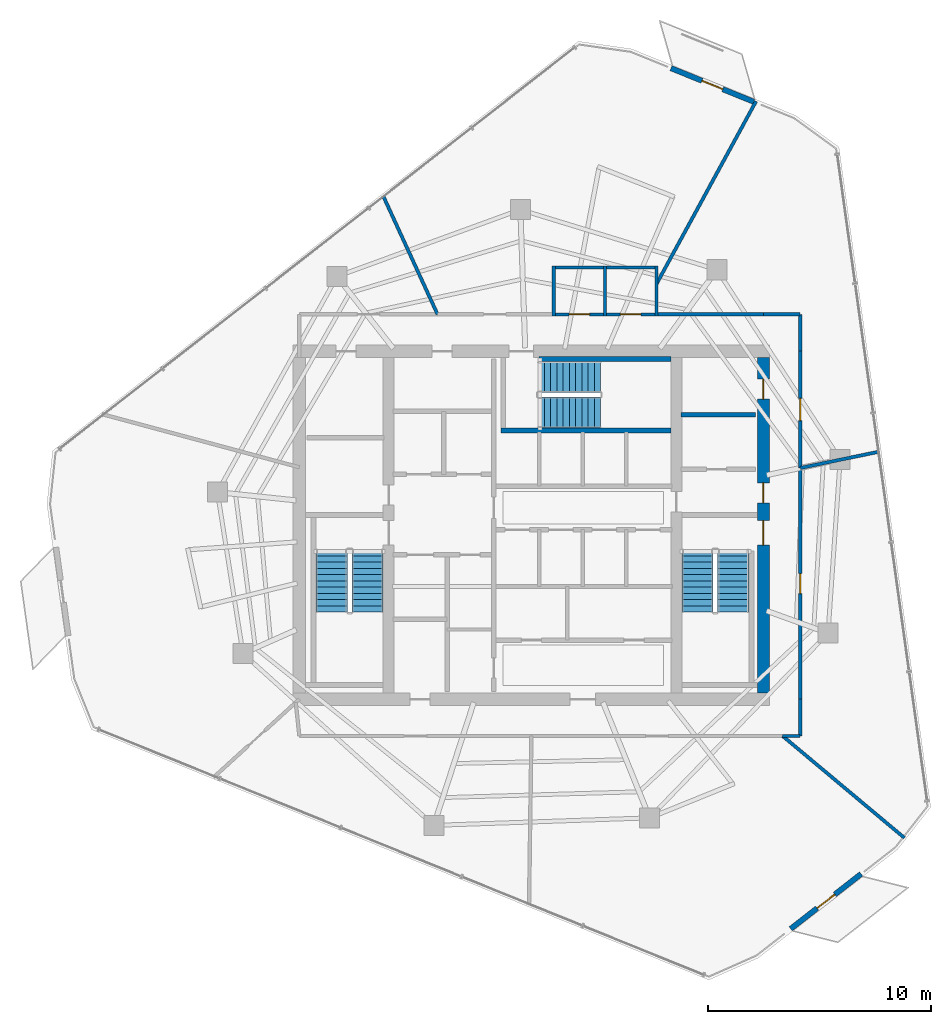
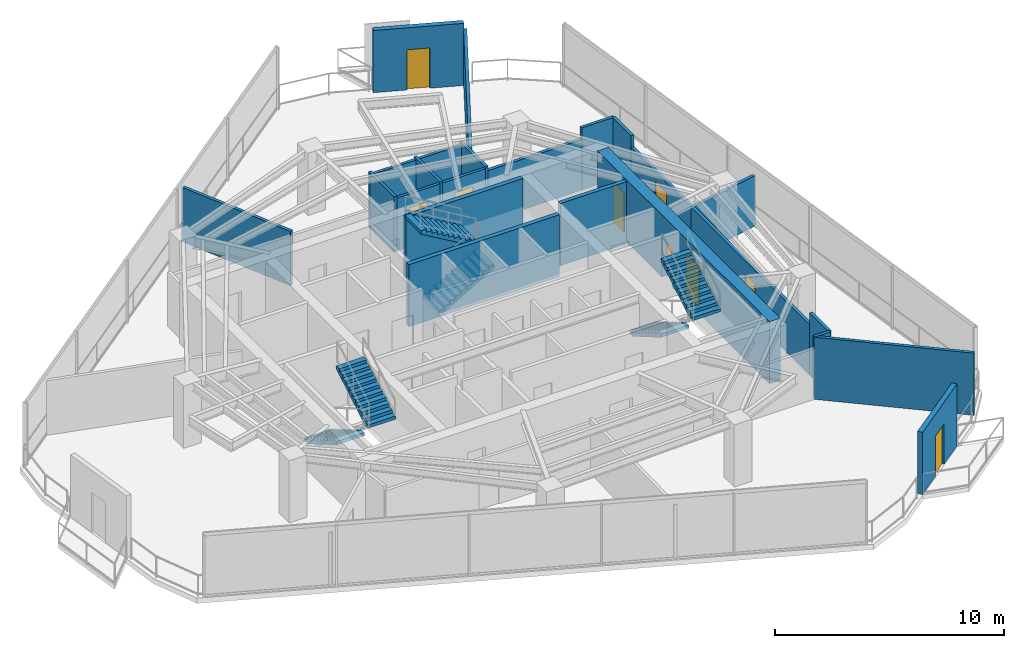
# One storey, part 17 of 19: 24 walls, 9 doors, 6 stair flights, 9 openings, 3 elements without a shape of their own.
"""IFC4 building model written with IfcOpenShell, lengths in metres."""

from ifc_helpers import new_model, si_unit, direction, frame, frame_2d, origin, place, context, subcontext, project, spatial, polyline, rectangle, outline, extrude, material, layer, layer_set, type_object, element, fill, aggregate, save


model = new_model("IFC4")

# Units and contexts
model_context = context("Model", 3, precision=1e-05, world=origin(), true_north=direction((0.0, 1.0)))
body_context = subcontext(model_context, "Body", "Model", "MODEL_VIEW")
ifc_project = project(units=[si_unit("LENGTHUNIT", "METRE"), si_unit("AREAUNIT", "SQUARE_METRE"), si_unit("VOLUMEUNIT", "CUBIC_METRE"), si_unit("PLANEANGLEUNIT", "RADIAN"), si_unit("MASSUNIT", "GRAM", prefix="KILO")], contexts=[model_context])

# Site, building, storey
site_placement = place(None, origin())
site = spatial("IfcSite", under=ifc_project, at=site_placement, CompositionType="ELEMENT")
building_placement = place(site_placement, origin())
building = spatial("IfcBuilding", under=site, at=building_placement, Name="Qarnah Convention Tower", CompositionType="ELEMENT")
storey_placement = place(building_placement, frame((0.0, 0.0, 209.39990234375)))
storey = spatial("IfcBuildingStorey", under=building, at=storey_placement, Name="L56", CompositionType="ELEMENT", Elevation=209.39990234375)

# Wall, openings, doors
ifc_material_1 = material(Name="Concrete C60/75", Category="concrete")
ifc_layer_1 = layer(ifc_material_1, 0.550048828125)
ifc_layer_set_1 = layer_set([ifc_layer_1], Name="Concrete C60/75")
wall_type_1 = type_object("IfcWallType", Name="WL-CORE-550", PredefinedType="SHEAR", material=ifc_layer_set_1)
wall_1_placement = place(storey_placement, frame((47.60009765625, 18.875, 0.0), z_axis=(0.0, 0.0, 1.0), x_axis=(0.0, 1.0, 0.0)))
wall_1 = element("IfcWall", 1, at=wall_1_placement, inside=storey, type_object=wall_type_1, Name="L56 core east shear wall", PredefinedType="SHEAR", context=body_context, shape_type="SweptSolid", body=[
    extrude(rectangle(XDim=15.050048828125, YDim=0.550048828125, at=frame_2d((7.52490234375, 0.0))), origin(), (0.0, 0.0, 1.0), 3.320068359375),
])
opening_1_placement = place(wall_1_placement, frame((6.625, 0.0, 0.0)))
opening_1 = element("IfcOpeningElement", 2, at=opening_1_placement, cuts=wall_1, Name="Opening D-5602", PredefinedType="OPENING", context=body_context, shape_type="SweptSolid", body=[
    extrude(rectangle(XDim=1.10009765625, YDim=2.14990234375, at=frame_2d((0.550048828125, 1.074951171875))), frame((0.0, 0.284912109375, 0.0), z_axis=(0.0, -1.0, 0.0), x_axis=(1.0, 0.0, 0.0)), (0.0, 0.0, 1.0), 0.570068359375),
])
opening_2_placement = place(wall_1_placement, frame((8.52490234375, 0.0, 0.0)))
opening_2 = element("IfcOpeningElement", 3, at=opening_2_placement, cuts=wall_1, Name="Opening D-5606", PredefinedType="OPENING", context=body_context, shape_type="SweptSolid", body=[
    extrude(rectangle(XDim=0.89990234375, YDim=2.10009765625, at=frame_2d((0.449951171875, 1.050048828125))), frame((0.0, 0.284912109375, 0.0), z_axis=(0.0, -1.0, 0.0), x_axis=(1.0, 0.0, 0.0)), (0.0, 0.0, 1.0), 0.570068359375),
])
opening_3_placement = place(wall_1_placement, frame((13.175048828125, 0.0, 0.0)))
opening_3 = element("IfcOpeningElement", 4, at=opening_3_placement, cuts=wall_1, Name="Opening D-5612", PredefinedType="OPENING", context=body_context, shape_type="SweptSolid", body=[
    extrude(rectangle(XDim=0.89990234375, YDim=2.10009765625, at=frame_2d((0.449951171875, 1.050048828125))), frame((0.0, 0.284912109375, 0.0), z_axis=(0.0, -1.0, 0.0), x_axis=(1.0, 0.0, 0.0)), (0.0, 0.0, 1.0), 0.570068359375),
])
ifc_material_2 = material(Name="Structural steel S355JR", Category="steel")
door_type_1 = type_object("IfcDoorType", Name="DT-RISER-900", OperationType="NOTDEFINED", PredefinedType="DOOR", material=ifc_material_2)
door_1_placement = place(opening_2_placement, origin())
door_1 = element("IfcDoor", 5, at=door_1_placement, inside=storey, type_object=door_type_1, Name="Door D-5606", OperationType="SINGLE_SWING_RIGHT", OverallHeight=2.10009765625, OverallWidth=0.89990234375, PredefinedType="DOOR", context=body_context, shape_type="SweptSolid", body=[
    extrude(rectangle(XDim=0.89990234375, YDim=2.10009765625, at=frame_2d((0.449951171875, 1.050048828125))), frame((0.0, 0.02490234375, 0.0), z_axis=(0.0, -1.0, 0.0), x_axis=(1.0, 0.0, 0.0)), (0.0, 0.0, 1.0), 0.050048828125),
])
fill(opening_2, door_1)
door_2_placement = place(opening_3_placement, origin())
door_2 = element("IfcDoor", 6, at=door_2_placement, inside=storey, type_object=door_type_1, Name="Door D-5612", OperationType="SINGLE_SWING_RIGHT", OverallHeight=2.10009765625, OverallWidth=0.89990234375, PredefinedType="DOOR", context=body_context, shape_type="SweptSolid", body=[
    extrude(rectangle(XDim=0.89990234375, YDim=2.10009765625, at=frame_2d((0.449951171875, 1.050048828125))), frame((0.0, 0.02490234375, 0.0), z_axis=(0.0, -1.0, 0.0), x_axis=(1.0, 0.0, 0.0)), (0.0, 0.0, 1.0), 0.050048828125),
])
fill(opening_3, door_2)
door_type_2 = type_object("IfcDoorType", Name="DT-STAIR-1100", OperationType="NOTDEFINED", PredefinedType="DOOR", material=ifc_material_2)
door_3_placement = place(opening_1_placement, origin())
door_3 = element("IfcDoor", 7, at=door_3_placement, inside=storey, type_object=door_type_2, Name="Door D-5602", OperationType="SINGLE_SWING_RIGHT", OverallHeight=2.14990234375, OverallWidth=1.10009765625, PredefinedType="DOOR", context=body_context, shape_type="SweptSolid", body=[
    extrude(rectangle(XDim=1.10009765625, YDim=2.14990234375, at=frame_2d((0.550048828125, 1.074951171875))), frame((0.0, 0.02490234375, 0.0), z_axis=(0.0, -1.0, 0.0), x_axis=(1.0, 0.0, 0.0)), (0.0, 0.0, 1.0), 0.050048828125),
])
fill(opening_1, door_3)

# Walls
ifc_material_3 = material(Name="Concrete C45/55", Category="concrete")
ifc_layer_2 = layer(ifc_material_3, 0.199951171875)
ifc_layer_set_2 = layer_set([ifc_layer_2], Name="Concrete C45/55")
wall_type_2 = type_object("IfcWallType", Name="WL-CORE-PART-200", PredefinedType="SOLIDWALL", material=ifc_layer_set_2)
wall_2_placement = place(storey_placement, frame((43.89990234375, 31.35009765625, 0.0), z_axis=(0.0, 0.0, 1.0), x_axis=(1.0, 0.0, 0.0)))
element("IfcWall", 8, at=wall_2_placement, inside=storey, type_object=wall_type_2, Name="L56 interior wall IW-L56-WTRN", PredefinedType="SOLIDWALL", context=body_context, shape_type="SweptSolid", body=[
    extrude(rectangle(XDim=3.35009765625, YDim=0.199951171875, at=frame_2d((1.675048828125, 0.0))), origin(), (0.0, 0.0, 1.0), 3.320068359375),
])
ifc_layer_3 = layer(ifc_material_1, 0.219970703125)
ifc_layer_set_3 = layer_set([ifc_layer_3], Name="Concrete C60/75")
wall_type_3 = type_object("IfcWallType", Name="WL-CORE-STAIR-220", PredefinedType="SHEAR", material=ifc_layer_set_3)
wall_3_placement = place(storey_placement, frame((35.840087890625, 30.639892578125, 0.0), z_axis=(0.0, 0.0, 1.0), x_axis=(1.0, 0.0, 0.0)))
element("IfcWall", 9, at=wall_3_placement, inside=storey, type_object=wall_type_3, Name="L56 stair shaft shear wall SW-L56-ST3S", PredefinedType="SHEAR", context=body_context, shape_type="SweptSolid", body=[
    extrude(rectangle(XDim=7.60986328125, YDim=0.219970703125, at=frame_2d((3.804931640625, 0.0))), origin(), (0.0, 0.0, 1.0), 3.320068359375),
])
wall_4_placement = place(storey_placement, frame((37.550048828125, 33.840087890625, 0.0), z_axis=(0.0, 0.0, 1.0), x_axis=(1.0, 0.0, 0.0)))
element("IfcWall", 10, at=wall_4_placement, inside=storey, type_object=wall_type_3, Name="L56 stair shaft shear wall SW-L56-ST3N", PredefinedType="SHEAR", context=body_context, shape_type="SweptSolid", body=[
    extrude(rectangle(XDim=5.89990234375, YDim=0.219970703125, at=frame_2d((2.949951171875, 0.0))), origin(), (0.0, 0.0, 1.0), 3.320068359375),
])

# Wall, opening, door
ifc_material_4 = material(Name="Precast concrete C45/55", Category="concrete")
ifc_layer_4 = layer(ifc_material_4, 0.239990234375)
ifc_layer_set_4 = layer_set([ifc_layer_4], Name="Precast concrete C45/55")
wall_type_4 = type_object("IfcWallType", Name="WL-EXT-BAL-240", PredefinedType="SOLIDWALL", material=ifc_layer_set_4)
wall_5_placement = place(storey_placement, frame((43.4599609375, 46.882080078125, 0.0), z_axis=(0.0, 0.0, 1.0), x_axis=(0.926591574156, -0.376069215308, 0.0)))
wall_5 = element("IfcWall", 11, at=wall_5_placement, inside=storey, type_object=wall_type_4, Name="L56 loggia threshold wall BAL-L56-C1", PredefinedType="SOLIDWALL", context=body_context, shape_type="SweptSolid", body=[
    extrude(rectangle(XDim=3.999755859375, YDim=0.239990234375, at=frame_2d((2.0, 0.0))), origin(), (0.0, 0.0, 1.0), 3.320068359375),
])
opening_4_placement = place(wall_5_placement, frame((1.5, 0.0, 0.0)))
opening_4 = element("IfcOpeningElement", 12, at=opening_4_placement, cuts=wall_5, Name="Opening BD-5601", PredefinedType="OPENING", context=body_context, shape_type="SweptSolid", body=[
    extrude(rectangle(XDim=1.0, YDim=2.14990234375, at=frame_2d((0.5, 1.074951171875))), frame((0.0, 0.1298828125, 0.0), z_axis=(0.0, -1.0, 0.0), x_axis=(1.0, 0.0, 0.0)), (0.0, 0.0, 1.0), 0.260009765625),
])
ifc_material_5 = material(Name="Black anodised aluminium", Category="aluminium")
door_type_3 = type_object("IfcDoorType", Name="DT-BAL-1000", OperationType="NOTDEFINED", PredefinedType="DOOR", material=ifc_material_5)
door_4_placement = place(opening_4_placement, origin())
door_4 = element("IfcDoor", 13, at=door_4_placement, inside=storey, type_object=door_type_3, Name="L56 balcony terrace door BAL-L56-C1", OperationType="SINGLE_SWING_LEFT", OverallHeight=2.14990234375, OverallWidth=1.0, PredefinedType="DOOR", context=body_context, shape_type="SweptSolid", body=[
    extrude(rectangle(XDim=1.0, YDim=2.14990234375, at=frame_2d((0.5, 1.074951171875))), frame((0.0, 0.02490234375, 0.0), z_axis=(0.0, -1.0, 0.0), x_axis=(1.0, 0.0, 0.0)), (0.0, 0.0, 1.0), 0.050048828125),
])
fill(opening_4, door_4)

wall_6_placement = place(storey_placement, frame((51.98095703125, 10.76611328125, 0.0), z_axis=(0.0, 0.0, 1.0), x_axis=(-0.788855634811, -0.614578544555, 0.0)))
wall_6 = element("IfcWall", 14, at=wall_6_placement, inside=storey, type_object=wall_type_4, Name="L56 loggia threshold wall BAL-L56-C3", PredefinedType="SOLIDWALL", context=body_context, shape_type="SweptSolid", body=[
    extrude(rectangle(XDim=3.99951171875, YDim=0.239990234375, at=frame_2d((1.999755859375, 0.0))), origin(), (0.0, 0.0, 1.0), 3.320068359375),
])
opening_5_placement = place(wall_6_placement, frame((1.5, 0.0, 0.0)))
opening_5 = element("IfcOpeningElement", 15, at=opening_5_placement, cuts=wall_6, Name="Opening BD-5603", PredefinedType="OPENING", context=body_context, shape_type="SweptSolid", body=[
    extrude(rectangle(XDim=1.0, YDim=2.14990234375, at=frame_2d((0.5, 1.074951171875))), frame((0.0, 0.1298828125, 0.0), z_axis=(0.0, -1.0, 0.0), x_axis=(1.0, 0.0, 0.0)), (0.0, 0.0, 1.0), 0.260009765625),
])
door_5_placement = place(opening_5_placement, origin())
door_5 = element("IfcDoor", 16, at=door_5_placement, inside=storey, type_object=door_type_3, Name="L56 balcony terrace door BAL-L56-C3", OperationType="SINGLE_SWING_LEFT", OverallHeight=2.14990234375, OverallWidth=1.0, PredefinedType="DOOR", context=body_context, shape_type="SweptSolid", body=[
    extrude(rectangle(XDim=1.0, YDim=2.14990234375, at=frame_2d((0.5, 1.074951171875))), frame((0.0, 0.02490234375, 0.0), z_axis=(0.0, -1.0, 0.0), x_axis=(1.0, 0.0, 0.0)), (0.0, 0.0, 1.0), 0.050048828125),
])
fill(opening_5, door_5)

# Walls
ifc_material_6 = material(Name="Gypsum partition board")
ifc_layer_5 = layer(ifc_material_6, 0.14990234375)
ifc_layer_set_5 = layer_set([ifc_layer_5], Name="Gypsum partition board")
wall_type_5 = type_object("IfcWallType", Name="WL-SUITE-150", PredefinedType="PARTITIONING", material=ifc_layer_set_5)
wall_7_placement = place(storey_placement, frame((47.27099609375, 45.40087890625, 0.0), z_axis=(0.0, 0.0, 1.0), x_axis=(-0.478443882295, -0.878118130717, 0.0)))
element("IfcWall", 17, at=wall_7_placement, inside=storey, type_object=wall_type_5, Name="L56 interior wall IW-L56-R-08", PredefinedType="PARTITIONING", context=body_context, shape_type="SweptSolid", body=[
    extrude(rectangle(XDim=9.3447265625, YDim=0.14990234375, at=frame_2d((4.67236328125, 0.0))), origin(), (0.0, 0.0, 1.0), 2.905029296875),
])
wall_8_placement = place(storey_placement, frame((42.8701171875, 35.85009765625, 0.0), z_axis=(0.0, 0.0, 1.0), x_axis=(1.0, 0.0, 0.0)))
element("IfcWall", 18, at=wall_8_placement, inside=storey, type_object=wall_type_5, Name="L56 interior wall IW-L56-R-09", PredefinedType="PARTITIONING", context=body_context, shape_type="SweptSolid", body=[
    extrude(rectangle(XDim=4.72998046875, YDim=0.14990234375, at=frame_2d((2.364990234375, 0.0))), origin(), (0.0, 0.0, 1.0), 2.697021484375),
])
wall_9_placement = place(storey_placement, frame((47.60009765625, 35.85009765625, 0.0), z_axis=(0.0, 0.0, 1.0), x_axis=(1.0, 0.0, 0.0)))
element("IfcWall", 19, at=wall_9_placement, inside=storey, type_object=wall_type_5, Name="L56 interior wall IW-L56-R-10", PredefinedType="PARTITIONING", context=body_context, shape_type="SweptSolid", body=[
    extrude(rectangle(XDim=1.64990234375, YDim=0.14990234375, at=frame_2d((0.824951171875, 0.0))), origin(), (0.0, 0.0, 1.0), 3.320068359375),
])
wall_10_placement = place(storey_placement, frame((49.25, 35.85009765625, 0.0), z_axis=(0.0, 0.0, 1.0), x_axis=(0.0, -1.0, 0.0)))
element("IfcWall", 20, at=wall_10_placement, inside=storey, type_object=wall_type_5, Name="L56 interior wall IW-L56-R-11", PredefinedType="PARTITIONING", context=body_context, shape_type="SweptSolid", body=[
    extrude(rectangle(XDim=1.650146484375, YDim=0.14990234375, at=frame_2d((0.8251953125, 0.0))), origin(), (0.0, 0.0, 1.0), 3.320068359375),
])

# Wall, opening, door
wall_11_placement = place(storey_placement, frame((49.25, 34.199951171875, 0.0), z_axis=(0.0, 0.0, 1.0), x_axis=(0.0, -1.0, 0.0)))
wall_11 = element("IfcWall", 21, at=wall_11_placement, inside=storey, type_object=wall_type_5, Name="L56 interior wall IW-L56-R-12", PredefinedType="PARTITIONING", context=body_context, shape_type="SweptSolid", body=[
    extrude(rectangle(XDim=5.239013671875, YDim=0.14990234375, at=frame_2d((2.61962890625, 0.0))), origin(), (0.0, 0.0, 1.0), 2.697021484375),
])
opening_6_placement = place(wall_11_placement, frame((2.1201171875, 0.0, 0.0)))
opening_6 = element("IfcOpeningElement", 22, at=opening_6_placement, cuts=wall_11, Name="Opening D-5620", PredefinedType="OPENING", context=body_context, shape_type="SweptSolid", body=[
    extrude(rectangle(XDim=1.0, YDim=2.14990234375, at=frame_2d((0.5, 1.074951171875))), frame((0.0, 0.0849609375, 0.0), z_axis=(0.0, -1.0, 0.0), x_axis=(1.0, 0.0, 0.0)), (0.0, 0.0, 1.0), 0.169921875),
])
ifc_material_7 = material(Name="Oak timber veneer", Category="wood")
door_type_4 = type_object("IfcDoorType", Name="DT-OFFICE-1000", OperationType="NOTDEFINED", PredefinedType="DOOR", material=ifc_material_7)
door_6_placement = place(opening_6_placement, origin())
door_6 = element("IfcDoor", 23, at=door_6_placement, inside=storey, type_object=door_type_4, Name="Door D-5620", OperationType="SINGLE_SWING_RIGHT", OverallHeight=2.14990234375, OverallWidth=1.0, PredefinedType="DOOR", context=body_context, shape_type="SweptSolid", body=[
    extrude(rectangle(XDim=1.0, YDim=2.14990234375, at=frame_2d((0.5, 1.074951171875))), frame((0.0, 0.02490234375, 0.0), z_axis=(0.0, -1.0, 0.0), x_axis=(1.0, 0.0, 0.0)), (0.0, 0.0, 1.0), 0.050048828125),
])
fill(opening_6, door_6)

# Walls
wall_12_placement = place(storey_placement, frame((49.25, 28.9609375, 0.0), z_axis=(0.0, 0.0, 1.0), x_axis=(0.979264556588, 0.202585607116, 0.0)))
element("IfcWall", 24, at=wall_12_placement, inside=storey, type_object=wall_type_5, Name="L56 interior wall IW-L56-R-13", PredefinedType="PARTITIONING", context=body_context, shape_type="SweptSolid", body=[
    extrude(rectangle(XDim=3.633544921875, YDim=0.14990234375, at=frame_2d((1.81689453125, 0.0))), origin(), (0.0, 0.0, 1.0), 2.697021484375),
])
wall_13_placement = place(storey_placement, frame((30.550048828125, 41.172119140625, 0.0), z_axis=(0.0, 0.0, 1.0), x_axis=(0.41716427319, -0.908831100466, 0.0)))
element("IfcWall", 25, at=wall_13_placement, inside=storey, type_object=wall_type_5, Name="L56 interior wall IW-L56-R-14", PredefinedType="PARTITIONING", context=body_context, shape_type="SweptSolid", body=[
    extrude(rectangle(XDim=5.85595703125, YDim=0.14990234375, at=frame_2d((2.927978515625, 0.0))), origin(), (0.0, 0.0, 1.0), 2.905029296875),
])
wall_14_placement = place(storey_placement, frame((53.922119140625, 12.381103515625, 0.0), z_axis=(0.0, 0.0, 1.0), x_axis=(-0.766929571883, 0.641731276916, 0.0)))
element("IfcWall", 26, at=wall_14_placement, inside=storey, type_object=wall_type_5, Name="L56 interior wall IW-L56-R-23", PredefinedType="PARTITIONING", context=body_context, shape_type="SweptSolid", body=[
    extrude(rectangle(XDim=7.11962890625, YDim=0.14990234375, at=frame_2d((3.559814453125, 0.0))), origin(), (0.0, 0.0, 1.0), 3.320068359375),
])

# Wall, opening, door
wall_15_placement = place(storey_placement, frame((49.25, 28.9609375, 0.0), z_axis=(0.0, 0.0, 1.0), x_axis=(0.0, -1.0, 0.0)))
wall_15 = element("IfcWall", 27, at=wall_15_placement, inside=storey, type_object=wall_type_5, Name="L56 interior wall IW-L56-R-25", PredefinedType="PARTITIONING", context=body_context, shape_type="SweptSolid", body=[
    extrude(rectangle(XDim=10.36083984375, YDim=0.14990234375, at=frame_2d((5.180419921875, 0.0))), origin(), (0.0, 0.0, 1.0), 2.697021484375),
])
opening_7_placement = place(wall_15_placement, frame((4.72998046875, 0.0, 0.0)))
opening_7 = element("IfcOpeningElement", 28, at=opening_7_placement, cuts=wall_15, Name="Opening D-5626", PredefinedType="OPENING", context=body_context, shape_type="SweptSolid", body=[
    extrude(rectangle(XDim=0.89990234375, YDim=2.0, at=frame_2d((0.449951171875, 1.0))), frame((0.0, 0.0849609375, 0.0), z_axis=(0.0, -1.0, 0.0), x_axis=(1.0, 0.0, 0.0)), (0.0, 0.0, 1.0), 0.169921875),
])
door_type_5 = type_object("IfcDoorType", Name="DT-PLANT-900", OperationType="NOTDEFINED", PredefinedType="DOOR", material=ifc_material_2)
door_7_placement = place(opening_7_placement, origin())
door_7 = element("IfcDoor", 29, at=door_7_placement, inside=storey, type_object=door_type_5, Name="Door D-5626", OperationType="SINGLE_SWING_RIGHT", OverallHeight=2.0, OverallWidth=0.89990234375, PredefinedType="DOOR", context=body_context, shape_type="SweptSolid", body=[
    extrude(rectangle(XDim=0.89990234375, YDim=2.0, at=frame_2d((0.449951171875, 1.0))), frame((0.0, 0.02490234375, 0.0), z_axis=(0.0, -1.0, 0.0), x_axis=(1.0, 0.0, 0.0)), (0.0, 0.0, 1.0), 0.050048828125),
])
fill(opening_7, door_7)

# Walls
wall_16_placement = place(storey_placement, frame((49.25, 18.60009765625, 0.0), z_axis=(0.0, 0.0, 1.0), x_axis=(0.0, -1.0, 0.0)))
element("IfcWall", 30, at=wall_16_placement, inside=storey, type_object=wall_type_5, Name="L56 interior wall IW-L56-R-26", PredefinedType="PARTITIONING", context=body_context, shape_type="SweptSolid", body=[
    extrude(rectangle(XDim=1.650146484375, YDim=0.14990234375, at=frame_2d((0.8251953125, 0.0))), origin(), (0.0, 0.0, 1.0), 3.320068359375),
])
wall_17_placement = place(storey_placement, frame((49.25, 16.949951171875, 0.0), z_axis=(0.0, 0.0, 1.0), x_axis=(-1.0, 0.0, 0.0)))
element("IfcWall", 31, at=wall_17_placement, inside=storey, type_object=wall_type_5, Name="L56 interior wall IW-L56-R-27", PredefinedType="PARTITIONING", context=body_context, shape_type="SweptSolid", body=[
    extrude(rectangle(XDim=0.7880859375, YDim=0.14990234375, at=frame_2d((0.39404296875, 0.0))), origin(), (0.0, 0.0, 1.0), 3.320068359375),
])

# Wall, opening, door
ifc_layer_6 = layer(ifc_material_6, 0.139892578125)
ifc_layer_set_6 = layer_set([ifc_layer_6], Name="Gypsum partition board")
wall_type_6 = type_object("IfcWallType", Name="WL-WET-140", PredefinedType="PARTITIONING", material=ifc_layer_set_6)
wall_18_placement = place(storey_placement, frame((38.1298828125, 35.85009765625, 0.0), z_axis=(0.0, 0.0, 1.0), x_axis=(1.0, 0.0, 0.0)))
wall_18 = element("IfcWall", 32, at=wall_18_placement, inside=storey, type_object=wall_type_6, Name="L56 interior wall IW-L56-WCM-1", PredefinedType="PARTITIONING", context=body_context, shape_type="SweptSolid", body=[
    extrude(rectangle(XDim=2.440185546875, YDim=0.139892578125, at=frame_2d((1.22021484375, 0.0))), origin(), (0.0, 0.0, 1.0), 2.841064453125),
])
opening_8_placement = place(wall_18_placement, frame((0.760009765625, 0.0, 0.0)))
opening_8 = element("IfcOpeningElement", 33, at=opening_8_placement, cuts=wall_18, Name="Opening D-5618", PredefinedType="OPENING", context=body_context, shape_type="SweptSolid", body=[
    extrude(rectangle(XDim=0.919921875, YDim=2.10009765625, at=frame_2d((0.4599609375, 1.050048828125))), frame((0.0, 0.079833984375, 0.0), z_axis=(0.0, -1.0, 0.0), x_axis=(1.0, 0.0, 0.0)), (0.0, 0.0, 1.0), 0.159912109375),
])
door_type_6 = type_object("IfcDoorType", Name="DT-WC-920", OperationType="NOTDEFINED", PredefinedType="DOOR", material=ifc_material_7)
door_8_placement = place(opening_8_placement, origin())
door_8 = element("IfcDoor", 34, at=door_8_placement, inside=storey, type_object=door_type_6, Name="Door D-5618", OperationType="SINGLE_SWING_RIGHT", OverallHeight=2.10009765625, OverallWidth=0.919921875, PredefinedType="DOOR", context=body_context, shape_type="SweptSolid", body=[
    extrude(rectangle(XDim=0.919921875, YDim=2.10009765625, at=frame_2d((0.4599609375, 1.050048828125))), frame((0.0, 0.02490234375, 0.0), z_axis=(0.0, -1.0, 0.0), x_axis=(1.0, 0.0, 0.0)), (0.0, 0.0, 1.0), 0.050048828125),
])
fill(opening_8, door_8)

# Walls
wall_19_placement = place(storey_placement, frame((40.5, 35.780029296875, 0.0), z_axis=(0.0, 0.0, 1.0), x_axis=(0.0, 1.0, 0.0)))
element("IfcWall", 35, at=wall_19_placement, inside=storey, type_object=wall_type_6, Name="L56 interior wall IW-L56-WCM-2", PredefinedType="PARTITIONING", context=body_context, shape_type="SweptSolid", body=[
    extrude(rectangle(XDim=2.239990234375, YDim=0.139892578125, at=frame_2d((1.1201171875, 0.0))), origin(), (0.0, 0.0, 1.0), 2.94921875),
])
wall_20_placement = place(storey_placement, frame((40.570068359375, 37.949951171875, 0.0), z_axis=(0.0, 0.0, 1.0), x_axis=(-1.0, 0.0, 0.0)))
element("IfcWall", 36, at=wall_20_placement, inside=storey, type_object=wall_type_6, Name="L56 interior wall IW-L56-WCM-3", PredefinedType="PARTITIONING", context=body_context, shape_type="SweptSolid", body=[
    extrude(rectangle(XDim=2.440185546875, YDim=0.139892578125, at=frame_2d((1.22021484375, 0.0))), origin(), (0.0, 0.0, 1.0), 2.841064453125),
])
wall_21_placement = place(storey_placement, frame((38.199951171875, 38.02001953125, 0.0), z_axis=(0.0, 0.0, 1.0), x_axis=(0.0, -1.0, 0.0)))
element("IfcWall", 37, at=wall_21_placement, inside=storey, type_object=wall_type_6, Name="L56 interior wall IW-L56-WCM-4", PredefinedType="PARTITIONING", context=body_context, shape_type="SweptSolid", body=[
    extrude(rectangle(XDim=2.239990234375, YDim=0.139892578125, at=frame_2d((1.1201171875, 0.0))), origin(), (0.0, 0.0, 1.0), 2.94921875),
])

# Wall, opening, door
wall_22_placement = place(storey_placement, frame((40.429931640625, 35.85009765625, 0.0), z_axis=(0.0, 0.0, 1.0), x_axis=(1.0, 0.0, 0.0)))
wall_22 = element("IfcWall", 38, at=wall_22_placement, inside=storey, type_object=wall_type_6, Name="L56 interior wall IW-L56-WCF-1", PredefinedType="PARTITIONING", context=body_context, shape_type="SweptSolid", body=[
    extrude(rectangle(XDim=2.440185546875, YDim=0.139892578125, at=frame_2d((1.22021484375, 0.0))), origin(), (0.0, 0.0, 1.0), 2.841064453125),
])
opening_9_placement = place(wall_22_placement, frame((0.760009765625, 0.0, 0.0)))
opening_9 = element("IfcOpeningElement", 39, at=opening_9_placement, cuts=wall_22, Name="Opening D-5619", PredefinedType="OPENING", context=body_context, shape_type="SweptSolid", body=[
    extrude(rectangle(XDim=0.919921875, YDim=2.10009765625, at=frame_2d((0.4599609375, 1.050048828125))), frame((0.0, 0.079833984375, 0.0), z_axis=(0.0, -1.0, 0.0), x_axis=(1.0, 0.0, 0.0)), (0.0, 0.0, 1.0), 0.159912109375),
])
door_9_placement = place(opening_9_placement, origin())
door_9 = element("IfcDoor", 40, at=door_9_placement, inside=storey, type_object=door_type_6, Name="Door D-5619", OperationType="SINGLE_SWING_LEFT", OverallHeight=2.10009765625, OverallWidth=0.919921875, PredefinedType="DOOR", context=body_context, shape_type="SweptSolid", body=[
    extrude(rectangle(XDim=0.919921875, YDim=2.10009765625, at=frame_2d((0.4599609375, 1.050048828125))), frame((0.0, 0.02490234375, 0.0), z_axis=(0.0, -1.0, 0.0), x_axis=(1.0, 0.0, 0.0)), (0.0, 0.0, 1.0), 0.050048828125),
])
fill(opening_9, door_9)

# Walls
wall_23_placement = place(storey_placement, frame((42.800048828125, 35.780029296875, 0.0), z_axis=(0.0, 0.0, 1.0), x_axis=(0.0, 1.0, 0.0)))
element("IfcWall", 41, at=wall_23_placement, inside=storey, type_object=wall_type_6, Name="L56 interior wall IW-L56-WCF-2", PredefinedType="PARTITIONING", context=body_context, shape_type="SweptSolid", body=[
    extrude(rectangle(XDim=2.239990234375, YDim=0.139892578125, at=frame_2d((1.1201171875, 0.0))), origin(), (0.0, 0.0, 1.0), 2.94921875),
])
wall_24_placement = place(storey_placement, frame((42.8701171875, 37.949951171875, 0.0), z_axis=(0.0, 0.0, 1.0), x_axis=(-1.0, 0.0, 0.0)))
element("IfcWall", 42, at=wall_24_placement, inside=storey, type_object=wall_type_6, Name="L56 interior wall IW-L56-WCF-3", PredefinedType="PARTITIONING", context=body_context, shape_type="SweptSolid", body=[
    extrude(rectangle(XDim=2.440185546875, YDim=0.139892578125, at=frame_2d((1.22021484375, 0.0))), origin(), (0.0, 0.0, 1.0), 2.841064453125),
])

# Stair, stair flights
ifc_material_8 = material(Name="Concrete C50/60", Category="concrete")
stair_type = type_object("IfcStairType", Name="STR-OFF", PredefinedType="HALF_TURN_STAIR", material=ifc_material_8)
stair_1_placement = place(storey_placement, origin())
stair_1 = element("IfcStair", 43, at=stair_1_placement, inside=storey, type_object=stair_type, Name="L56 Core exit stair ST-1", PredefinedType="HALF_TURN_STAIR")
stair_flight_type = type_object("IfcStairFlightType", Name="FLT-OFF", PredefinedType="STRAIGHT", material=ifc_material_8)
stair_flight_1_placement = place(storey_placement, frame((28.25, 25.300048828125, 0.0), z_axis=(0.0, 0.0, 1.0), x_axis=(0.0, -1.0, 0.0)))
stair_flight_1 = element("IfcStairFlight", 44, at=stair_flight_1_placement, type_object=stair_flight_type, Name="ST-1 flight 1", NumberOfRisers=11, NumberOfTreads=10, PredefinedType="STRAIGHT", RiserHeight=0.163636364, TreadLength=0.28, context=body_context, shape_type="SweptSolid", body=[
    extrude(outline(polyline([(0.0, 0.0), (0.0, 0.16357421875), (0.280029296875, 0.16357421875), (0.280029296875, 0.327392578125), (0.56005859375, 0.327392578125), (0.56005859375, 0.490966796875), (0.840087890625, 0.490966796875), (0.840087890625, 0.654541015625), (1.1201171875, 0.654541015625), (1.1201171875, 0.818115234375), (1.39990234375, 0.818115234375), (1.39990234375, 0.98193359375), (1.679931640625, 0.98193359375), (1.679931640625, 1.1455078125), (1.9599609375, 1.1455078125), (1.9599609375, 1.30908203125), (2.239990234375, 1.30908203125), (2.239990234375, 1.47265625), (2.52001953125, 1.47265625), (2.52001953125, 1.636474609375), (2.800048828125, 1.636474609375), (2.800048828125, 1.800048828125), (2.800048828125, 1.462646484375), (0.297119140625, 0.0), (0.0, 0.0)])), frame((0.0, 0.699951171875, 0.0), z_axis=(0.0, -1.0, 0.0), x_axis=(1.0, 0.0, 0.0)), (0.0, 0.0, 1.0), 1.39990234375),
])
stair_flight_2_placement = place(storey_placement, frame((29.85009765625, 22.5, 1.800048828125), z_axis=(0.0, 0.0, 1.0), x_axis=(0.0, 1.0, 0.0)))
stair_flight_2 = element("IfcStairFlight", 45, at=stair_flight_2_placement, type_object=stair_flight_type, Name="ST-1 flight 2", NumberOfRisers=11, NumberOfTreads=10, PredefinedType="STRAIGHT", RiserHeight=0.163636364, TreadLength=0.28, context=body_context, shape_type="SweptSolid", body=[
    extrude(outline(polyline([(0.0, 0.0), (0.0, 0.16357421875), (0.280029296875, 0.16357421875), (0.280029296875, 0.327392578125), (0.56005859375, 0.327392578125), (0.56005859375, 0.490966796875), (0.840087890625, 0.490966796875), (0.840087890625, 0.654541015625), (1.1201171875, 0.654541015625), (1.1201171875, 0.818115234375), (1.39990234375, 0.818115234375), (1.39990234375, 0.98193359375), (1.679931640625, 0.98193359375), (1.679931640625, 1.1455078125), (1.9599609375, 1.1455078125), (1.9599609375, 1.30908203125), (2.239990234375, 1.30908203125), (2.239990234375, 1.47265625), (2.52001953125, 1.47265625), (2.52001953125, 1.636474609375), (2.800048828125, 1.636474609375), (2.800048828125, 1.800048828125), (2.800048828125, 1.462646484375), (0.297119140625, 0.0), (0.0, 0.0)])), frame((0.0, 0.699951171875, 0.0), z_axis=(0.0, -1.0, 0.0), x_axis=(1.0, 0.0, 0.0)), (0.0, 0.0, 1.0), 1.39990234375),
])
aggregate(stair_1, [stair_flight_1, stair_flight_2])

stair_2_placement = place(storey_placement, origin())
stair_2 = element("IfcStair", 46, at=stair_2_placement, inside=storey, type_object=stair_type, Name="L56 Core exit stair ST-2", PredefinedType="HALF_TURN_STAIR")
stair_flight_3_placement = place(storey_placement, frame((44.64990234375, 25.300048828125, 0.0), z_axis=(0.0, 0.0, 1.0), x_axis=(0.0, -1.0, 0.0)))
stair_flight_3 = element("IfcStairFlight", 47, at=stair_flight_3_placement, type_object=stair_flight_type, Name="ST-2 flight 1", NumberOfRisers=11, NumberOfTreads=10, PredefinedType="STRAIGHT", RiserHeight=0.163636364, TreadLength=0.28, context=body_context, shape_type="SweptSolid", body=[
    extrude(outline(polyline([(0.0, 0.0), (0.0, 0.16357421875), (0.280029296875, 0.16357421875), (0.280029296875, 0.327392578125), (0.56005859375, 0.327392578125), (0.56005859375, 0.490966796875), (0.840087890625, 0.490966796875), (0.840087890625, 0.654541015625), (1.1201171875, 0.654541015625), (1.1201171875, 0.818115234375), (1.39990234375, 0.818115234375), (1.39990234375, 0.98193359375), (1.679931640625, 0.98193359375), (1.679931640625, 1.1455078125), (1.9599609375, 1.1455078125), (1.9599609375, 1.30908203125), (2.239990234375, 1.30908203125), (2.239990234375, 1.47265625), (2.52001953125, 1.47265625), (2.52001953125, 1.636474609375), (2.800048828125, 1.636474609375), (2.800048828125, 1.800048828125), (2.800048828125, 1.462646484375), (0.297119140625, 0.0), (0.0, 0.0)])), frame((0.0, 0.699951171875, 0.0), z_axis=(0.0, -1.0, 0.0), x_axis=(1.0, 0.0, 0.0)), (0.0, 0.0, 1.0), 1.39990234375),
])
stair_flight_4_placement = place(storey_placement, frame((46.25, 22.5, 1.800048828125), z_axis=(0.0, 0.0, 1.0), x_axis=(0.0, 1.0, 0.0)))
stair_flight_4 = element("IfcStairFlight", 48, at=stair_flight_4_placement, type_object=stair_flight_type, Name="ST-2 flight 2", NumberOfRisers=11, NumberOfTreads=10, PredefinedType="STRAIGHT", RiserHeight=0.163636364, TreadLength=0.28, context=body_context, shape_type="SweptSolid", body=[
    extrude(outline(polyline([(0.0, 0.0), (0.0, 0.16357421875), (0.280029296875, 0.16357421875), (0.280029296875, 0.327392578125), (0.56005859375, 0.327392578125), (0.56005859375, 0.490966796875), (0.840087890625, 0.490966796875), (0.840087890625, 0.654541015625), (1.1201171875, 0.654541015625), (1.1201171875, 0.818115234375), (1.39990234375, 0.818115234375), (1.39990234375, 0.98193359375), (1.679931640625, 0.98193359375), (1.679931640625, 1.1455078125), (1.9599609375, 1.1455078125), (1.9599609375, 1.30908203125), (2.239990234375, 1.30908203125), (2.239990234375, 1.47265625), (2.52001953125, 1.47265625), (2.52001953125, 1.636474609375), (2.800048828125, 1.636474609375), (2.800048828125, 1.800048828125), (2.800048828125, 1.462646484375), (0.297119140625, 0.0), (0.0, 0.0)])), frame((0.0, 0.699951171875, 0.0), z_axis=(0.0, -1.0, 0.0), x_axis=(1.0, 0.0, 0.0)), (0.0, 0.0, 1.0), 1.39990234375),
])
aggregate(stair_2, [stair_flight_3, stair_flight_4])

stair_3_placement = place(storey_placement, origin())
stair_3 = element("IfcStair", 49, at=stair_3_placement, inside=storey, type_object=stair_type, Name="L56 Core exit stair ST-3", PredefinedType="HALF_TURN_STAIR")
stair_flight_5_placement = place(storey_placement, frame((37.5, 31.449951171875, 0.0), z_axis=(0.0, 0.0, 1.0), x_axis=(1.0, 0.0, 0.0)))
stair_flight_5 = element("IfcStairFlight", 50, at=stair_flight_5_placement, type_object=stair_flight_type, Name="ST-3 flight 1", NumberOfRisers=11, NumberOfTreads=10, PredefinedType="STRAIGHT", RiserHeight=0.163636364, TreadLength=0.28, context=body_context, shape_type="SweptSolid", body=[
    extrude(outline(polyline([(0.0, 0.0), (0.0, 0.16357421875), (0.280029296875, 0.16357421875), (0.280029296875, 0.327392578125), (0.56005859375, 0.327392578125), (0.56005859375, 0.490966796875), (0.840087890625, 0.490966796875), (0.840087890625, 0.654541015625), (1.1201171875, 0.654541015625), (1.1201171875, 0.818115234375), (1.39990234375, 0.818115234375), (1.39990234375, 0.98193359375), (1.679931640625, 0.98193359375), (1.679931640625, 1.1455078125), (1.9599609375, 1.1455078125), (1.9599609375, 1.30908203125), (2.239990234375, 1.30908203125), (2.239990234375, 1.47265625), (2.52001953125, 1.47265625), (2.52001953125, 1.636474609375), (2.800048828125, 1.636474609375), (2.800048828125, 1.800048828125), (2.800048828125, 1.462646484375), (0.297119140625, 0.0), (0.0, 0.0)])), frame((0.0, 0.699951171875, 0.0), z_axis=(0.0, -1.0, 0.0), x_axis=(1.0, 0.0, 0.0)), (0.0, 0.0, 1.0), 1.39990234375),
])
stair_flight_6_placement = place(storey_placement, frame((40.300048828125, 33.050048828125, 1.800048828125), z_axis=(0.0, 0.0, 1.0), x_axis=(-1.0, 0.0, 0.0)))
stair_flight_6 = element("IfcStairFlight", 51, at=stair_flight_6_placement, type_object=stair_flight_type, Name="ST-3 flight 2", NumberOfRisers=11, NumberOfTreads=10, PredefinedType="STRAIGHT", RiserHeight=0.163636364, TreadLength=0.28, context=body_context, shape_type="SweptSolid", body=[
    extrude(outline(polyline([(0.0, 0.0), (0.0, 0.16357421875), (0.280029296875, 0.16357421875), (0.280029296875, 0.327392578125), (0.56005859375, 0.327392578125), (0.56005859375, 0.490966796875), (0.840087890625, 0.490966796875), (0.840087890625, 0.654541015625), (1.1201171875, 0.654541015625), (1.1201171875, 0.818115234375), (1.39990234375, 0.818115234375), (1.39990234375, 0.98193359375), (1.679931640625, 0.98193359375), (1.679931640625, 1.1455078125), (1.9599609375, 1.1455078125), (1.9599609375, 1.30908203125), (2.239990234375, 1.30908203125), (2.239990234375, 1.47265625), (2.52001953125, 1.47265625), (2.52001953125, 1.636474609375), (2.800048828125, 1.636474609375), (2.800048828125, 1.800048828125), (2.800048828125, 1.462646484375), (0.297119140625, 0.0), (0.0, 0.0)])), frame((0.0, 0.699951171875, 0.0), z_axis=(0.0, -1.0, 0.0), x_axis=(1.0, 0.0, 0.0)), (0.0, 0.0, 1.0), 1.39990234375),
])
aggregate(stair_3, [stair_flight_5, stair_flight_6])

save(model, "model.ifc")
